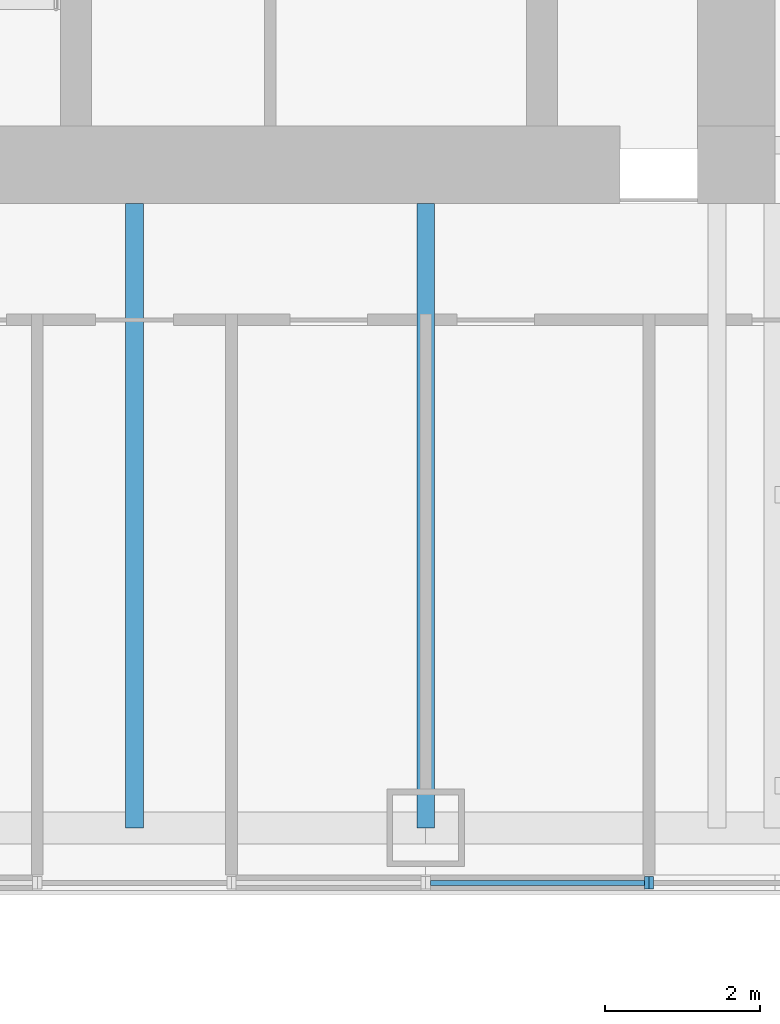
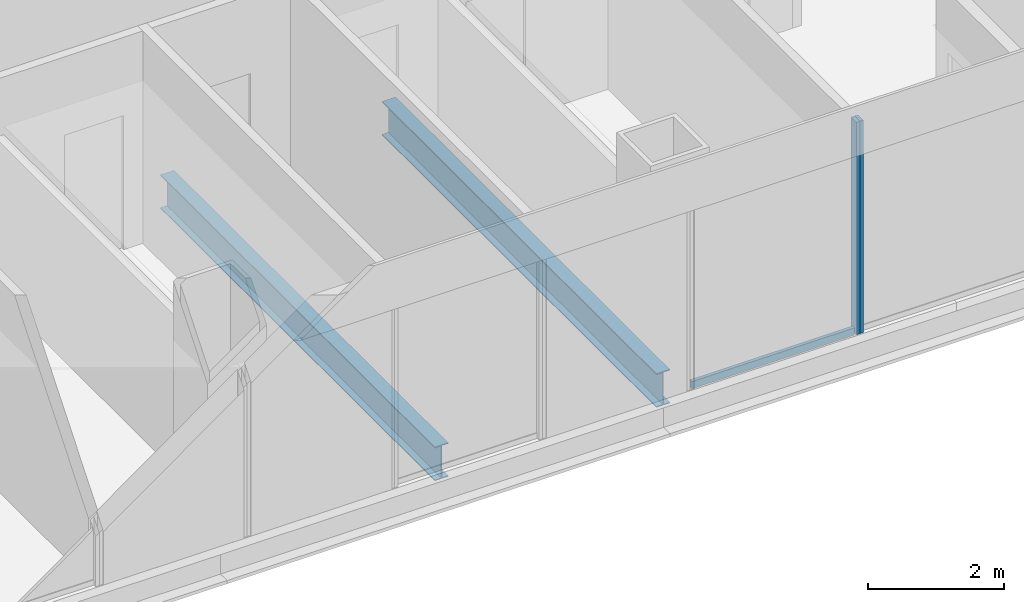
# One storey, part 3 of 15: 3 members, 2 beams, 2 elements without a shape of their own.
"""IFC4 building model written with IfcOpenShell, lengths in metres."""

import ifcopenshell
import ifcopenshell.guid

model = None  # the IFC model being written
_history = None  # IfcOwnerHistory: only IFC2X3 demands one
_inside = {}  # id of a spatial element -> (the spatial element, [elements in it])
_under = {}  # id of a project, library or spatial element -> (it, [spatial elements below it])
_declared = {}  # id of a project -> (the project, [libraries it declares])
_typed = {}  # id of a type object -> (the type object, [elements of that type])
_made_of = {}  # id of a material, layer set ... -> (it, [elements and type objects made of it])


def new_model(schema):
    """Start an empty IFC model of exactly this schema.

    Asked for "IFC4X3", IfcOpenShell would pick the latest addendum, in which some entities
    have other attributes; the version numbers below select the first issue.
    IFC2X3 requires an IfcOwnerHistory on every rooted entity: one is made here for all.
    """
    global model, _history
    if schema == "IFC4X3":
        model = ifcopenshell.file(schema_version=(4, 3, 0, 0))
    else:
        model = ifcopenshell.file(schema=schema)
    _inside.clear()
    _under.clear()
    _declared.clear()
    _typed.clear()
    _made_of.clear()
    _history = None
    if model.schema == "IFC2X3":
        org = make("IfcOrganization", Name="unknown")
        user = make(
            "IfcPersonAndOrganization",
            ThePerson=make("IfcPerson", FamilyName="unknown"),
            TheOrganization=org,
        )
        app = make(
            "IfcApplication",
            ApplicationDeveloper=org,
            Version="unknown",
            ApplicationFullName="unknown",
            ApplicationIdentifier="unknown",
        )
        _history = make(
            "IfcOwnerHistory",
            OwningUser=user,
            OwningApplication=app,
            ChangeAction="ADDED",
            CreationDate=0,
        )
    return model


def make(cls, **values):
    """One entity of the class cls with the attributes given. An attribute that is None is left unset."""
    return model.create_entity(
        cls, **{name: value for name, value in values.items() if value is not None}
    )


def rooted(cls, **values):
    """An entity with a GlobalId (a new one), such as an element, a storey or a relation."""
    return make(cls, GlobalId=ifcopenshell.guid.new(), OwnerHistory=_history, **values)


def si_unit(unit_type, name, prefix=None):
    """IfcSIUnit, for example si_unit("LENGTHUNIT", "METRE", prefix="MILLI")."""
    return make("IfcSIUnit", UnitType=unit_type, Prefix=prefix, Name=name)


def assignment(units):
    """IfcUnitAssignment: the units of a project."""
    return None if units is None else make("IfcUnitAssignment", Units=units)


def point(xyz):
    """IfcCartesianPoint."""
    return None if xyz is None else make("IfcCartesianPoint", Coordinates=xyz)


def direction(xyz):
    """IfcDirection."""
    return None if xyz is None else make("IfcDirection", DirectionRatios=xyz)


def frame(location, z_axis=None, x_axis=None):
    """IfcAxis2Placement3D, a coordinate frame: its origin and axes. An axis left out is left unset."""
    return make(
        "IfcAxis2Placement3D",
        Location=point(location),
        Axis=direction(z_axis),
        RefDirection=direction(x_axis),
    )


def frame_2d(location, x_axis=None):
    """IfcAxis2Placement2D, a coordinate frame in the plane: its origin and x axis."""
    return make(
        "IfcAxis2Placement2D", Location=point(location), RefDirection=direction(x_axis)
    )


def origin():
    """The frame at (0, 0, 0) with its axes left unset."""
    return frame((0.0, 0.0, 0.0))


def origin_2d():
    """The frame at (0, 0) in the plane with its x axis left unset."""
    return frame_2d((0.0, 0.0))


def place(relative_to, where):
    """IfcLocalPlacement: puts the frame where relative to a parent placement (None: the world)."""
    return make(
        "IfcLocalPlacement", PlacementRelTo=relative_to, RelativePlacement=where
    )


def context(
    kind, dimensions, precision=None, world=None, true_north=None, identifier=None
):
    """IfcGeometricRepresentationContext, for example the 3D "Model" context."""
    return make(
        "IfcGeometricRepresentationContext",
        ContextIdentifier=identifier,
        ContextType=kind,
        CoordinateSpaceDimension=dimensions,
        Precision=precision,
        WorldCoordinateSystem=world,
        TrueNorth=true_north,
    )


def subcontext(parent, identifier, kind, view, scale=None):
    """IfcGeometricRepresentationSubContext, for example "Body" below "Model"."""
    return make(
        "IfcGeometricRepresentationSubContext",
        ContextIdentifier=identifier,
        ContextType=kind,
        ParentContext=parent,
        TargetScale=scale,
        TargetView=view,
    )


def project(units=None, contexts=None):
    """IfcProject with its units and contexts."""
    return rooted(
        "IfcProject",
        Name="project",
        RepresentationContexts=contexts,
        UnitsInContext=assignment(units),
    )


def spatial(cls, under=None, at=None, **own):
    """A site, building, storey or space (cls), placed at a placement, below another one or the project."""
    s = rooted(cls, ObjectPlacement=at, **own)
    if under is not None:
        _under.setdefault(under.id(), (under, []))[1].append(s)
    return s


def profile(cls, at=None, kind="AREA", **sizes):
    """A parametric profile (cls). Its sizes go by their IFC names, for example OverallWidth=200.0."""
    return make(cls, ProfileType=kind, Position=at, **sizes)


def rectangle(**sizes):
    """IfcRectangleProfileDef."""
    return profile("IfcRectangleProfileDef", **sizes)


def i_section(**sizes):
    """IfcIShapeProfileDef."""
    return profile("IfcIShapeProfileDef", **sizes)


def extrude(swept, where, along, depth):
    """IfcExtrudedAreaSolid: the profile swept, set in the frame where, extruded along a direction by depth."""
    return make(
        "IfcExtrudedAreaSolid",
        SweptArea=swept,
        Position=where,
        ExtrudedDirection=direction(along),
        Depth=depth,
    )


def shape(context_of_items, identifier, shape_type, items):
    """IfcShapeRepresentation: the items that make up one representation, for example the "Body"."""
    return make(
        "IfcShapeRepresentation",
        ContextOfItems=context_of_items,
        RepresentationIdentifier=identifier,
        RepresentationType=shape_type,
        Items=items,
    )


def material(Name=None, Category=None):
    """IfcMaterial."""
    return make("IfcMaterial", Name=Name, Category=Category)


def material_profile(
    of_material, cross_section, Name=None, Category=None, Priority=None
):
    """IfcMaterialProfile: a cross section and its material."""
    return make(
        "IfcMaterialProfile",
        Name=Name,
        Material=of_material,
        Profile=cross_section,
        Priority=Priority,
        Category=Category,
    )


def profile_set(profiles, Name=None, composite=None):
    """IfcMaterialProfileSet."""
    return make(
        "IfcMaterialProfileSet",
        Name=Name,
        MaterialProfiles=profiles,
        CompositeProfile=composite,
    )


def made_of(thing, what):
    """Note that an element or type object is made of a material, layer set ...; save() writes the relation."""
    if what is not None:
        _made_of.setdefault(what.id(), (what, []))[1].append(thing)
    return thing


def type_object(cls, material=None, **own):
    """A type object (cls), such as IfcWallType, which elements share."""
    return made_of(rooted(cls, **own), material)


def element(
    cls,
    number,
    at=None,
    inside=None,
    cuts=None,
    type_object=None,
    material=None,
    context=None,
    identifier="Body",
    shape_type=None,
    held_by="IfcProductDefinitionShape",
    body=None,
    shapes=None,
    **own,
):
    """One element of the class cls, such as IfcWall. Its Tag is "e" and its number.

    at: its placement. inside: the storey or other place that contains it. cuts: it is an
    opening in that element (IfcRelVoidsElement). A single representation is given by context,
    identifier, shape_type and body (its items); several are given by shapes. held_by: the class
    of the entity that holds the representations. save() writes the other relations.
    """
    e = rooted(cls, Tag="e%d" % number, ObjectPlacement=at, **own)
    if body is not None:
        shapes = [shape(context, identifier, shape_type, body)]
    if shapes is not None:
        e.Representation = make(held_by, Representations=shapes)
    if inside is not None:
        _inside.setdefault(inside.id(), (inside, []))[1].append(e)
    if cuts is not None:
        rooted(
            "IfcRelVoidsElement", RelatingBuildingElement=cuts, RelatedOpeningElement=e
        )
    if type_object is not None:
        _typed.setdefault(type_object.id(), (type_object, []))[1].append(e)
    return made_of(e, material)


def aggregate(whole, parts):
    """IfcRelAggregates: a whole, such as a stair, and the parts it consists of."""
    return rooted("IfcRelAggregates", RelatingObject=whole, RelatedObjects=parts)


def save(model, path):
    """Write the relations noted so far, then the file.

    IfcRelAggregates (storeys below a building ...), IfcRelContainedInSpatialStructure (elements
    in a storey), IfcRelDefinesByType, IfcRelAssociatesMaterial and IfcRelDeclares: one each for
    every whole, place, type object, material and project.
    """
    for whole, parts in _under.values():
        aggregate(whole, parts)
    for where, things in _inside.values():
        rooted(
            "IfcRelContainedInSpatialStructure",
            RelatedElements=things,
            RelatingStructure=where,
        )
    for kind, things in _typed.values():
        rooted("IfcRelDefinesByType", RelatedObjects=things, RelatingType=kind)
    for what, things in _made_of.values():
        rooted("IfcRelAssociatesMaterial", RelatedObjects=things, RelatingMaterial=what)
    for by, libraries in _declared.values():
        rooted("IfcRelDeclares", RelatingContext=by, RelatedDefinitions=libraries)
    model.write(path)


model = new_model("IFC4")

# Units and contexts
model_context = context("Model", 3, precision=1e-05, world=origin(), true_north=direction((0.0, 1.0)))
body_context = subcontext(model_context, "Body", "Model", "MODEL_VIEW")
ifc_project = project(units=[si_unit("LENGTHUNIT", "METRE"), si_unit("AREAUNIT", "SQUARE_METRE"), si_unit("VOLUMEUNIT", "CUBIC_METRE"), si_unit("PLANEANGLEUNIT", "RADIAN"), si_unit("MASSUNIT", "GRAM", prefix="KILO")], contexts=[model_context])

# Site, building, storey
site_placement = place(None, origin())
site = spatial("IfcSite", under=ifc_project, at=site_placement, CompositionType="ELEMENT")
building_placement = place(site_placement, origin())
building = spatial("IfcBuilding", under=site, at=building_placement, Name="Tarangal Relay Tower", CompositionType="ELEMENT")
storey_placement = place(building_placement, frame((0.0, 0.0, 331.89990234375)))
storey = spatial("IfcBuildingStorey", under=building, at=storey_placement, Name="L74", CompositionType="ELEMENT", Elevation=331.89990234375)

# Beams
ifc_material_1 = material(Name="Steel ASTM A992", Category="steel")
ifc_material_profile_1 = material_profile(ifc_material_1, i_section(OverallWidth=0.228271484375, OverallDepth=0.607177734375, WebThickness=0.01123046875, FlangeThickness=0.017333984375, at=origin_2d()), Name="W24X76")
ifc_profile_set_1 = profile_set([ifc_material_profile_1], Name="Steel ASTM A992")
beam_type = type_object("IfcBeamType", Name="Floor beam W24X76", PredefinedType="BEAM", material=ifc_profile_set_1)
for number, where, z_axis, x_axis, name in (
    (1, (7.5, -12.0, -0.453369140625), (0.0, -1.0, 0.0), (1.0, 0.0, 0.0), "Floor beam RB5 S L74"),
    (2, (3.75, -12.0, -0.453369140625), (0.0, -1.0, 0.0), (1.0, 0.0, 0.0), "Floor beam RB5 S L74"),
):
    element("IfcBeam", number, at=place(storey_placement, frame(where, z_axis=z_axis, x_axis=x_axis)), inside=storey, type_object=beam_type, Name=name, PredefinedType="BEAM", context=body_context, shape_type="SweptSolid", body=[
        extrude(i_section(OverallWidth=0.228271484375, OverallDepth=0.607177734375, WebThickness=0.01123046875, FlangeThickness=0.017333984375, at=origin_2d()), origin(), (0.0, 0.0, 1.0), 8.0400390625),
    ])

# Curtain wall, member
ifc_material_2 = material(Name="Unitised curtain wall, dark glass and black aluminium", Category="aluminium")
curtain_wall_type_1 = type_object("IfcCurtainWallType", Name="Curtain wall CW-B", PredefinedType="USERDEFINED", material=ifc_material_2)
curtain_wall_1_placement = place(storey_placement, origin())
curtain_wall_1 = element("IfcCurtainWall", 3, at=curtain_wall_1_placement, inside=storey, type_object=curtain_wall_type_1, Name="Curtain wall CW-B S facade L74", ObjectType="UNITISED CURTAIN WALL", PredefinedType="USERDEFINED")
ifc_material_3 = material(Name="Black anodised aluminium mullion", Category="aluminium")
ifc_material_profile_2 = material_profile(ifc_material_3, rectangle(XDim=0.159912109375, YDim=0.06005859375, at=origin_2d()), Name="CW-BM 60X160")
ifc_profile_set_2 = profile_set([ifc_material_profile_2], Name="Black anodised aluminium mullion")
member_type_1 = type_object("IfcMemberType", Name="Mullion CW-B 60 x 160", PredefinedType="MULLION", material=ifc_profile_set_2)
member_1_placement = place(storey_placement, frame((10.405029296875, -20.75, 0.0), z_axis=(0.0, 0.0, 1.0), x_axis=(0.0, -1.0, 0.0)))
member_1 = element("IfcMember", 4, at=member_1_placement, type_object=member_type_1, Name="CW-B mullion 2", PredefinedType="MULLION", context=body_context, shape_type="SweptSolid", body=[
    extrude(rectangle(XDim=0.159912109375, YDim=0.06005859375, at=origin_2d()), origin(), (0.0, 0.0, 1.0), 3.800048828125),
])
aggregate(curtain_wall_1, [member_1])

# Curtain wall, members
ifc_material_4 = material(Name="Unitised curtain wall frame, black aluminium, with metal clad infill walls", Category="aluminium")
curtain_wall_type_2 = type_object("IfcCurtainWallType", Name="Curtain wall CW-BO", PredefinedType="USERDEFINED", material=ifc_material_4)
curtain_wall_2_placement = place(storey_placement, origin())
curtain_wall_2 = element("IfcCurtainWall", 5, at=curtain_wall_2_placement, inside=storey, type_object=curtain_wall_type_2, Name="Curtain wall CW-BO S facade L74", ObjectType="UNITISED CURTAIN WALL", PredefinedType="USERDEFINED")
ifc_material_profile_3 = material_profile(ifc_material_3, rectangle(XDim=0.159912109375, YDim=0.06005859375, at=origin_2d()), Name="CW-BOM 60X160")
ifc_profile_set_3 = profile_set([ifc_material_profile_3], Name="Black anodised aluminium mullion")
member_type_2 = type_object("IfcMemberType", Name="Mullion CW-BO 60 x 160", PredefinedType="MULLION", material=ifc_profile_set_3)
member_2_placement = place(storey_placement, frame((10.344970703125, -20.75, 0.0), z_axis=(0.0, 0.0, 1.0), x_axis=(0.0, -1.0, 0.0)))
member_2 = element("IfcMember", 6, at=member_2_placement, type_object=member_type_2, Name="CW-BO mullion 1", PredefinedType="MULLION", context=body_context, shape_type="SweptSolid", body=[
    extrude(rectangle(XDim=0.159912109375, YDim=0.06005859375, at=origin_2d()), origin(), (0.0, 0.0, 1.0), 3.800048828125),
])
ifc_material_5 = material(Name="Black anodised aluminium transom", Category="aluminium")
ifc_material_profile_4 = material_profile(ifc_material_5, rectangle(XDim=0.06005859375, YDim=0.1298828125, at=origin_2d()), Name="CW-BOT 60X130")
ifc_profile_set_4 = profile_set([ifc_material_profile_4], Name="Black anodised aluminium transom")
member_type_3 = type_object("IfcMemberType", Name="Transom CW-BO 60 x 130", PredefinedType="USERDEFINED", material=ifc_profile_set_4)
member_3_placement = place(storey_placement, frame((10.31494140625, -20.75, 0.030029296875), z_axis=(-1.0, 0.0, 0.0), x_axis=(0.0, -1.0, 0.0)))
member_3 = element("IfcMember", 7, at=member_3_placement, type_object=member_type_3, Name="CW-BO transom 1.1", ObjectType="TRANSOM", PredefinedType="USERDEFINED", context=body_context, shape_type="SweptSolid", body=[
    extrude(rectangle(XDim=0.06005859375, YDim=0.1298828125, at=origin_2d()), origin(), (0.0, 0.0, 1.0), 2.7548828125),
])
aggregate(curtain_wall_2, [member_2, member_3])

save(model, "model.ifc")
